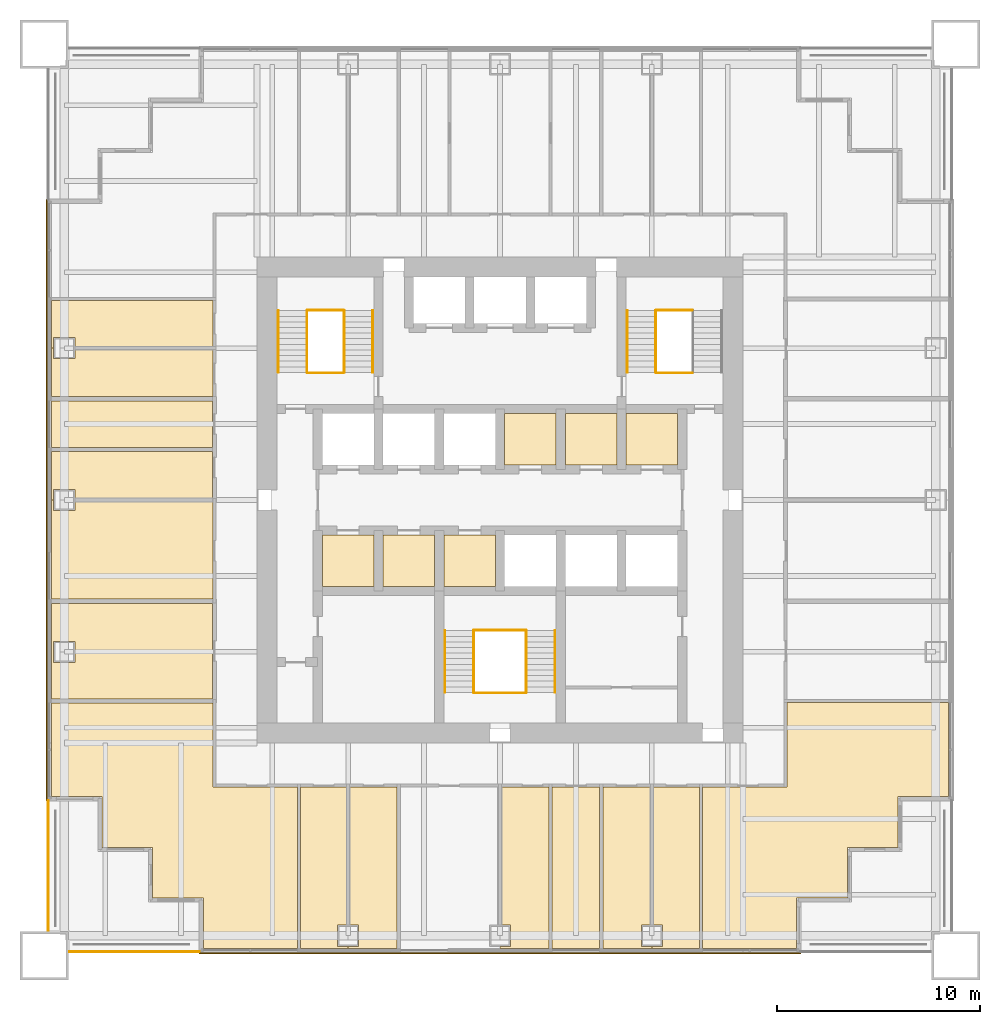
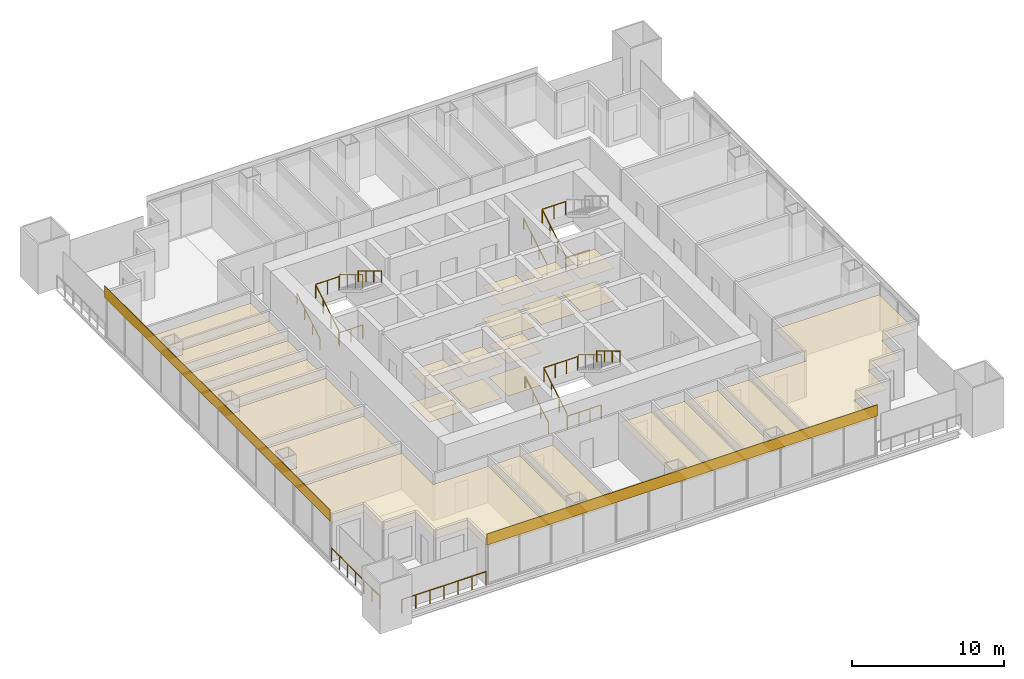
# One storey, part 13 of 14: 28 coverings, 18 railings.
"""IFC4 building model written with IfcOpenShell, lengths in metres."""

from ifc_helpers import new_model, si_unit, direction, frame, origin, origin_2d, place, context, subcontext, project, spatial, polyline, rectangle, circle, outline, extrude, material, layer, layer_set, type_object, element, save


model = new_model("IFC4")

# Units and contexts
model_context = context("Model", 3, precision=1e-05, world=origin(), true_north=direction((0.0, 1.0)))
body_context = subcontext(model_context, "Body", "Model", "MODEL_VIEW")
ifc_project = project(units=[si_unit("LENGTHUNIT", "METRE"), si_unit("AREAUNIT", "SQUARE_METRE"), si_unit("VOLUMEUNIT", "CUBIC_METRE"), si_unit("PLANEANGLEUNIT", "RADIAN"), si_unit("MASSUNIT", "GRAM", prefix="KILO")], contexts=[model_context])

# Site, building, storey
site_placement = place(None, origin())
site = spatial("IfcSite", under=ifc_project, at=site_placement, CompositionType="ELEMENT")
building_placement = place(site_placement, origin())
building = spatial("IfcBuilding", under=site, at=building_placement, Name="Tarangal Relay Tower", CompositionType="ELEMENT")
storey_placement = place(building_placement, frame((0.0, 0.0, 249.89990234375)))
storey = spatial("IfcBuildingStorey", under=building, at=storey_placement, Name="L54", CompositionType="ELEMENT", Elevation=249.89990234375)

# Coverings
ifc_material_1 = material(Name="Anti-static vinyl flooring", Category="plastic")
ifc_layer_1 = layer(ifc_material_1, 0.010009765625)
ifc_layer_set_1 = layer_set([ifc_layer_1], Name="Anti-static vinyl floor")
covering_type_1 = type_object("IfcCoveringType", Name="Anti-static vinyl floor", PredefinedType="FLOORING", material=ifc_layer_set_1)
covering_1_placement = place(storey_placement, origin())
element("IfcCovering", 1, at=covering_1_placement, inside=storey, type_object=covering_type_1, Name="Floor finish FL1 L54-T1", PredefinedType="FLOORING", context=body_context, shape_type="SweptSolid", body=[
    extrude(outline(polyline([(0.22509765625, 1.72509765625), (2.77490234375, 1.72509765625), (2.77490234375, 4.27490234375), (0.22509765625, 4.27490234375), (0.22509765625, 1.72509765625)])), origin(), (0.0, 0.0, 1.0), 0.010009765625),
])
covering_2_placement = place(storey_placement, origin())
element("IfcCovering", 2, at=covering_2_placement, inside=storey, type_object=covering_type_1, Name="Floor finish FL1 L54-T2", PredefinedType="FLOORING", context=body_context, shape_type="SweptSolid", body=[
    extrude(outline(polyline([(3.22509765625, 1.72509765625), (5.77490234375, 1.72509765625), (5.77490234375, 4.27490234375), (3.22509765625, 4.27490234375), (3.22509765625, 1.72509765625)])), origin(), (0.0, 0.0, 1.0), 0.010009765625),
])
covering_3_placement = place(storey_placement, origin())
element("IfcCovering", 3, at=covering_3_placement, inside=storey, type_object=covering_type_1, Name="Floor finish FL1 L54-T3", PredefinedType="FLOORING", context=body_context, shape_type="SweptSolid", body=[
    extrude(outline(polyline([(6.22509765625, 1.72509765625), (8.77490234375, 1.72509765625), (8.77490234375, 4.27490234375), (6.22509765625, 4.27490234375), (6.22509765625, 1.72509765625)])), origin(), (0.0, 0.0, 1.0), 0.010009765625),
])
covering_4_placement = place(storey_placement, origin())
element("IfcCovering", 4, at=covering_4_placement, inside=storey, type_object=covering_type_1, Name="Floor finish FL1 L54-S1", PredefinedType="FLOORING", context=body_context, shape_type="SweptSolid", body=[
    extrude(outline(polyline([(-8.77490234375, -4.27490234375), (-6.22509765625, -4.27490234375), (-6.22509765625, -1.72509765625), (-8.77490234375, -1.72509765625), (-8.77490234375, -4.27490234375)])), origin(), (0.0, 0.0, 1.0), 0.010009765625),
])
covering_5_placement = place(storey_placement, origin())
element("IfcCovering", 5, at=covering_5_placement, inside=storey, type_object=covering_type_1, Name="Floor finish FL1 L54-S2", PredefinedType="FLOORING", context=body_context, shape_type="SweptSolid", body=[
    extrude(outline(polyline([(-5.77490234375, -4.27490234375), (-3.22509765625, -4.27490234375), (-3.22509765625, -1.72509765625), (-5.77490234375, -1.72509765625), (-5.77490234375, -4.27490234375)])), origin(), (0.0, 0.0, 1.0), 0.010009765625),
])
covering_6_placement = place(storey_placement, origin())
element("IfcCovering", 6, at=covering_6_placement, inside=storey, type_object=covering_type_1, Name="Floor finish FL1 L54-S3", PredefinedType="FLOORING", context=body_context, shape_type="SweptSolid", body=[
    extrude(outline(polyline([(-2.77490234375, -4.27490234375), (-0.22509765625, -4.27490234375), (-0.22509765625, -1.72509765625), (-2.77490234375, -1.72509765625), (-2.77490234375, -4.27490234375)])), origin(), (0.0, 0.0, 1.0), 0.010009765625),
])
ifc_material_2 = material(Name="Black anodised aluminium cladding", Category="aluminium")
ifc_layer_2 = layer(ifc_material_2, 0.050048828125)
ifc_layer_set_2 = layer_set([ifc_layer_2], Name="Black metal spandrel band")
covering_type_2 = type_object("IfcCoveringType", Name="Black metal spandrel band", PredefinedType="CLADDING", material=ifc_layer_set_2)
for number, where, z_axis, x_axis, name in (
    (7, (0.0, -22.375, 3.250244140625), (0.0, 0.0, 1.0), (-1.0, 0.0, 0.0), "Spandrel band SB1 S L54"),
    (8, (-22.375, 0.0, 3.250244140625), (0.0, 0.0, 1.0), (0.0, 1.0, 0.0), "Spandrel band SB1 W L54"),
):
    element("IfcCovering", number, at=place(storey_placement, frame(where, z_axis=z_axis, x_axis=x_axis)), inside=storey, type_object=covering_type_2, Name=name, PredefinedType="CLADDING", context=body_context, shape_type="SweptSolid", body=[
        extrude(rectangle(XDim=29.699951171875, YDim=0.050048828125, at=origin_2d()), origin(), (0.0, 0.0, 1.0), 0.89990234375),
    ])

# Railings
ifc_material_3 = material(Name="Steel guard, black finish", Category="steel")
railing_type_1 = type_object("IfcRailingType", Name="Stair guard 1100", PredefinedType="GUARDRAIL", material=ifc_material_3)
railing_1_placement = place(storey_placement, frame((-9.530029296875, 6.300048828125, 0.166748046875)))
element("IfcRailing", 9, at=railing_1_placement, inside=storey, type_object=railing_type_1, Name="Stair ST-A guard GR1 L54 flight 1", PredefinedType="GUARDRAIL", context=body_context, shape_type="SweptSolid", body=[
    extrude(circle(Radius=0.02392578125, at=origin_2d()), frame((0.0, 0.0, 1.076171875), z_axis=(0.0, 0.85685617095, 0.515555527858), x_axis=(-1.0, 0.0, 0.0)), (0.0, 0.0, 1.0), 3.555908203125),
    extrude(circle(Radius=0.02099609375, at=origin_2d()), origin(), (0.0, 0.0, 1.0), 1.052001953125),
    extrude(circle(Radius=0.02099609375, at=origin_2d()), frame((0.0, 1.015625, 0.611083984375)), (0.0, 0.0, 1.0), 1.052001953125),
    extrude(circle(Radius=0.02099609375, at=origin_2d()), frame((0.0, 2.03125, 1.22216796875)), (0.0, 0.0, 1.0), 1.052001953125),
    extrude(circle(Radius=0.02099609375, at=origin_2d()), frame((0.0, 3.046875, 1.833251953125)), (0.0, 0.0, 1.0), 1.052001953125),
])
railing_2_placement = place(storey_placement, frame((-7.695068359375, 9.346923828125, 2.166748046875)))
element("IfcRailing", 10, at=railing_2_placement, inside=storey, type_object=railing_type_1, Name="Stair ST-A guard GR1 L54 flight 2", PredefinedType="GUARDRAIL", context=body_context, shape_type="SweptSolid", body=[
    extrude(circle(Radius=0.02392578125, at=origin_2d()), frame((0.0, 0.0, 1.076171875), z_axis=(0.0, -0.85685617095, 0.515555527858), x_axis=(1.0, 0.0, 0.0)), (0.0, 0.0, 1.0), 3.555908203125),
    extrude(circle(Radius=0.02099609375, at=origin_2d()), origin(), (0.0, 0.0, 1.0), 1.052001953125),
    extrude(circle(Radius=0.02099609375, at=origin_2d()), frame((0.0, -1.015625, 0.611083984375)), (0.0, 0.0, 1.0), 1.052001953125),
    extrude(circle(Radius=0.02099609375, at=origin_2d()), frame((0.0, -2.03125, 1.22216796875)), (0.0, 0.0, 1.0), 1.052001953125),
    extrude(circle(Radius=0.02099609375, at=origin_2d()), frame((0.0, -3.046875, 1.833251953125)), (0.0, 0.0, 1.0), 1.052001953125),
])
for number, where, name in (
    (11, (-9.5, 6.27001953125, 0.0), "Stair ST-A landing guard GR1 L54"),
    (12, (-9.5, 9.376953125, 2.0), "Stair ST-A landing guard GR1 L54"),
):
    element("IfcRailing", number, at=place(storey_placement, frame(where)), inside=storey, type_object=railing_type_1, Name=name, PredefinedType="GUARDRAIL", context=body_context, shape_type="SweptSolid", body=[
        extrude(circle(Radius=0.02392578125, at=origin_2d()), frame((0.0, 0.0, 1.076171875), z_axis=(1.0, 0.0, 0.0), x_axis=(0.0, 1.0, 0.0)), (0.0, 0.0, 1.0), 1.77490234375),
        extrude(circle(Radius=0.02099609375, at=origin_2d()), origin(), (0.0, 0.0, 1.0), 1.052001953125),
        extrude(circle(Radius=0.02099609375, at=origin_2d()), frame((0.887451171875, 0.0, 0.0)), (0.0, 0.0, 1.0), 1.052001953125),
        extrude(circle(Radius=0.02099609375, at=origin_2d()), frame((1.77490234375, 0.0, 0.0)), (0.0, 0.0, 1.0), 1.052001953125),
    ])
railing_3_placement = place(storey_placement, frame((7.695068359375, 6.300048828125, 0.166748046875)))
element("IfcRailing", 13, at=railing_3_placement, inside=storey, type_object=railing_type_1, Name="Stair ST-B guard GR1 L54 flight 1", PredefinedType="GUARDRAIL", context=body_context, shape_type="SweptSolid", body=[
    extrude(circle(Radius=0.02392578125, at=origin_2d()), frame((0.0, 0.0, 1.076171875), z_axis=(0.0, 0.85685617095, 0.515555527858), x_axis=(-1.0, 0.0, 0.0)), (0.0, 0.0, 1.0), 3.555908203125),
    extrude(circle(Radius=0.02099609375, at=origin_2d()), origin(), (0.0, 0.0, 1.0), 1.052001953125),
    extrude(circle(Radius=0.02099609375, at=origin_2d()), frame((0.0, 1.015625, 0.611083984375)), (0.0, 0.0, 1.0), 1.052001953125),
    extrude(circle(Radius=0.02099609375, at=origin_2d()), frame((0.0, 2.03125, 1.22216796875)), (0.0, 0.0, 1.0), 1.052001953125),
    extrude(circle(Radius=0.02099609375, at=origin_2d()), frame((0.0, 3.046875, 1.833251953125)), (0.0, 0.0, 1.0), 1.052001953125),
])
for number, where, name in (
    (14, (7.72509765625, 6.27001953125, 0.0), "Stair ST-B landing guard GR1 L54"),
    (15, (7.72509765625, 9.376953125, 2.0), "Stair ST-B landing guard GR1 L54"),
):
    element("IfcRailing", number, at=place(storey_placement, frame(where)), inside=storey, type_object=railing_type_1, Name=name, PredefinedType="GUARDRAIL", context=body_context, shape_type="SweptSolid", body=[
        extrude(circle(Radius=0.02392578125, at=origin_2d()), frame((0.0, 0.0, 1.076171875), z_axis=(1.0, 0.0, 0.0), x_axis=(0.0, 1.0, 0.0)), (0.0, 0.0, 1.0), 1.77490234375),
        extrude(circle(Radius=0.02099609375, at=origin_2d()), origin(), (0.0, 0.0, 1.0), 1.052001953125),
        extrude(circle(Radius=0.02099609375, at=origin_2d()), frame((0.887451171875, 0.0, 0.0)), (0.0, 0.0, 1.0), 1.052001953125),
        extrude(circle(Radius=0.02099609375, at=origin_2d()), frame((1.77490234375, 0.0, 0.0)), (0.0, 0.0, 1.0), 1.052001953125),
    ])
railing_4_placement = place(storey_placement, frame((-1.304931640625, -9.5, 0.166748046875)))
element("IfcRailing", 16, at=railing_4_placement, inside=storey, type_object=railing_type_1, Name="Stair ST-C guard GR1 L54 flight 1", PredefinedType="GUARDRAIL", context=body_context, shape_type="SweptSolid", body=[
    extrude(circle(Radius=0.02392578125, at=origin_2d()), frame((0.0, 0.0, 1.076171875), z_axis=(0.0, 0.856874418557, 0.515525199018), x_axis=(-1.0, 0.0, 0.0)), (0.0, 0.0, 1.0), 3.55615234375),
    extrude(circle(Radius=0.02099609375, at=origin_2d()), origin(), (0.0, 0.0, 1.0), 1.052001953125),
    extrude(circle(Radius=0.02099609375, at=origin_2d()), frame((0.0, 1.015625, 0.611083984375)), (0.0, 0.0, 1.0), 1.052001953125),
    extrude(circle(Radius=0.02099609375, at=origin_2d()), frame((0.0, 2.031494140625, 1.22216796875)), (0.0, 0.0, 1.0), 1.052001953125),
    extrude(circle(Radius=0.02099609375, at=origin_2d()), frame((0.0, 3.047119140625, 1.833251953125)), (0.0, 0.0, 1.0), 1.052001953125),
])
railing_5_placement = place(storey_placement, frame((1.304931640625, -6.452880859375, 2.166748046875)))
element("IfcRailing", 17, at=railing_5_placement, inside=storey, type_object=railing_type_1, Name="Stair ST-C guard GR1 L54 flight 2", PredefinedType="GUARDRAIL", context=body_context, shape_type="SweptSolid", body=[
    extrude(circle(Radius=0.02392578125, at=origin_2d()), frame((0.0, 0.0, 1.076171875), z_axis=(0.0, -0.856874418557, 0.515525199018), x_axis=(1.0, 0.0, 0.0)), (0.0, 0.0, 1.0), 3.55615234375),
    extrude(circle(Radius=0.02099609375, at=origin_2d()), origin(), (0.0, 0.0, 1.0), 1.052001953125),
    extrude(circle(Radius=0.02099609375, at=origin_2d()), frame((0.0, -1.015625, 0.611083984375)), (0.0, 0.0, 1.0), 1.052001953125),
    extrude(circle(Radius=0.02099609375, at=origin_2d()), frame((0.0, -2.031494140625, 1.22216796875)), (0.0, 0.0, 1.0), 1.052001953125),
    extrude(circle(Radius=0.02099609375, at=origin_2d()), frame((0.0, -3.047119140625, 1.833251953125)), (0.0, 0.0, 1.0), 1.052001953125),
])
for number, where, name in (
    (18, (-1.27490234375, -9.530029296875, 0.0), "Stair ST-C landing guard GR1 L54"),
    (19, (-1.27490234375, -6.423095703125, 2.0), "Stair ST-C landing guard GR1 L54"),
):
    element("IfcRailing", number, at=place(storey_placement, frame(where)), inside=storey, type_object=railing_type_1, Name=name, PredefinedType="GUARDRAIL", context=body_context, shape_type="SweptSolid", body=[
        extrude(circle(Radius=0.02392578125, at=origin_2d()), frame((0.0, 0.0, 1.076171875), z_axis=(1.0, 0.0, 0.0), x_axis=(0.0, 1.0, 0.0)), (0.0, 0.0, 1.0), 2.5498046875),
        extrude(circle(Radius=0.02099609375, at=origin_2d()), origin(), (0.0, 0.0, 1.0), 1.052001953125),
        extrude(circle(Radius=0.02099609375, at=origin_2d()), frame((0.849853515625, 0.0, 0.0)), (0.0, 0.0, 1.0), 1.052001953125),
        extrude(circle(Radius=0.02099609375, at=origin_2d()), frame((1.699951171875, 0.0, 0.0)), (0.0, 0.0, 1.0), 1.052001953125),
        extrude(circle(Radius=0.02099609375, at=origin_2d()), frame((2.5498046875, 0.0, 0.0)), (0.0, 0.0, 1.0), 1.052001953125),
    ])
ifc_material_4 = material(Name="Steel handrail, black finish", Category="steel")
railing_type_2 = type_object("IfcRailingType", Name="Stair handrail 900", PredefinedType="HANDRAIL", material=ifc_material_4)
railing_6_placement = place(storey_placement, frame((-10.93994140625, 6.300048828125, 0.166748046875)))
element("IfcRailing", 20, at=railing_6_placement, inside=storey, type_object=railing_type_2, Name="Stair ST-A handrail HR1 L54 flight 1", PredefinedType="HANDRAIL", context=body_context, shape_type="SweptSolid", body=[
    extrude(circle(Radius=0.02392578125, at=origin_2d()), frame((0.0, 0.0, 0.8759765625), z_axis=(0.0, 0.85685617095, 0.515555527858), x_axis=(-1.0, 0.0, 0.0)), (0.0, 0.0, 1.0), 3.555908203125),
    extrude(circle(Radius=0.02099609375, at=origin_2d()), origin(), (0.0, 0.0, 1.0), 0.851806640625),
    extrude(circle(Radius=0.02099609375, at=origin_2d()), frame((0.0, 1.015625, 0.611083984375)), (0.0, 0.0, 1.0), 0.851806640625),
    extrude(circle(Radius=0.02099609375, at=origin_2d()), frame((0.0, 2.03125, 1.22216796875)), (0.0, 0.0, 1.0), 0.851806640625),
    extrude(circle(Radius=0.02099609375, at=origin_2d()), frame((0.0, 3.046875, 1.833251953125)), (0.0, 0.0, 1.0), 0.851806640625),
])
railing_7_placement = place(storey_placement, frame((-6.284912109375, 9.346923828125, 2.166748046875)))
element("IfcRailing", 21, at=railing_7_placement, inside=storey, type_object=railing_type_2, Name="Stair ST-A handrail HR1 L54 flight 2", PredefinedType="HANDRAIL", context=body_context, shape_type="SweptSolid", body=[
    extrude(circle(Radius=0.02392578125, at=origin_2d()), frame((0.0, 0.0, 0.8759765625), z_axis=(0.0, -0.85685617095, 0.515555527858), x_axis=(1.0, 0.0, 0.0)), (0.0, 0.0, 1.0), 3.555908203125),
    extrude(circle(Radius=0.02099609375, at=origin_2d()), origin(), (0.0, 0.0, 1.0), 0.851806640625),
    extrude(circle(Radius=0.02099609375, at=origin_2d()), frame((0.0, -1.015625, 0.611083984375)), (0.0, 0.0, 1.0), 0.851806640625),
    extrude(circle(Radius=0.02099609375, at=origin_2d()), frame((0.0, -2.03125, 1.22216796875)), (0.0, 0.0, 1.0), 0.851806640625),
    extrude(circle(Radius=0.02099609375, at=origin_2d()), frame((0.0, -3.046875, 1.833251953125)), (0.0, 0.0, 1.0), 0.851806640625),
])
railing_8_placement = place(storey_placement, frame((6.284912109375, 6.300048828125, 0.166748046875)))
element("IfcRailing", 22, at=railing_8_placement, inside=storey, type_object=railing_type_2, Name="Stair ST-B handrail HR1 L54 flight 1", PredefinedType="HANDRAIL", context=body_context, shape_type="SweptSolid", body=[
    extrude(circle(Radius=0.02392578125, at=origin_2d()), frame((0.0, 0.0, 0.8759765625), z_axis=(0.0, 0.85685617095, 0.515555527858), x_axis=(-1.0, 0.0, 0.0)), (0.0, 0.0, 1.0), 3.555908203125),
    extrude(circle(Radius=0.02099609375, at=origin_2d()), origin(), (0.0, 0.0, 1.0), 0.851806640625),
    extrude(circle(Radius=0.02099609375, at=origin_2d()), frame((0.0, 1.015625, 0.611083984375)), (0.0, 0.0, 1.0), 0.851806640625),
    extrude(circle(Radius=0.02099609375, at=origin_2d()), frame((0.0, 2.03125, 1.22216796875)), (0.0, 0.0, 1.0), 0.851806640625),
    extrude(circle(Radius=0.02099609375, at=origin_2d()), frame((0.0, 3.046875, 1.833251953125)), (0.0, 0.0, 1.0), 0.851806640625),
])
railing_9_placement = place(storey_placement, frame((-2.715087890625, -9.5, 0.166748046875)))
element("IfcRailing", 23, at=railing_9_placement, inside=storey, type_object=railing_type_2, Name="Stair ST-C handrail HR1 L54 flight 1", PredefinedType="HANDRAIL", context=body_context, shape_type="SweptSolid", body=[
    extrude(circle(Radius=0.02392578125, at=origin_2d()), frame((0.0, 0.0, 0.8759765625), z_axis=(0.0, 0.856874418557, 0.515525199018), x_axis=(-1.0, 0.0, 0.0)), (0.0, 0.0, 1.0), 3.55615234375),
    extrude(circle(Radius=0.02099609375, at=origin_2d()), origin(), (0.0, 0.0, 1.0), 0.851806640625),
    extrude(circle(Radius=0.02099609375, at=origin_2d()), frame((0.0, 1.015625, 0.611083984375)), (0.0, 0.0, 1.0), 0.851806640625),
    extrude(circle(Radius=0.02099609375, at=origin_2d()), frame((0.0, 2.031494140625, 1.22216796875)), (0.0, 0.0, 1.0), 0.851806640625),
    extrude(circle(Radius=0.02099609375, at=origin_2d()), frame((0.0, 3.047119140625, 1.833251953125)), (0.0, 0.0, 1.0), 0.851806640625),
])
railing_10_placement = place(storey_placement, frame((2.715087890625, -6.452880859375, 2.166748046875)))
element("IfcRailing", 24, at=railing_10_placement, inside=storey, type_object=railing_type_2, Name="Stair ST-C handrail HR1 L54 flight 2", PredefinedType="HANDRAIL", context=body_context, shape_type="SweptSolid", body=[
    extrude(circle(Radius=0.02392578125, at=origin_2d()), frame((0.0, 0.0, 0.8759765625), z_axis=(0.0, -0.856874418557, 0.515525199018), x_axis=(1.0, 0.0, 0.0)), (0.0, 0.0, 1.0), 3.55615234375),
    extrude(circle(Radius=0.02099609375, at=origin_2d()), origin(), (0.0, 0.0, 1.0), 0.851806640625),
    extrude(circle(Radius=0.02099609375, at=origin_2d()), frame((0.0, -1.015625, 0.611083984375)), (0.0, 0.0, 1.0), 0.851806640625),
    extrude(circle(Radius=0.02099609375, at=origin_2d()), frame((0.0, -2.031494140625, 1.22216796875)), (0.0, 0.0, 1.0), 0.851806640625),
    extrude(circle(Radius=0.02099609375, at=origin_2d()), frame((0.0, -3.047119140625, 1.833251953125)), (0.0, 0.0, 1.0), 0.851806640625),
])

# Coverings
ifc_material_5 = material(Name="Mineral fibre ceiling tiles", Category="gypsum")
ifc_layer_3 = layer(ifc_material_5, 0.02001953125)
ifc_layer_set_3 = layer_set([ifc_layer_3], Name="Suspended ceiling")
covering_type_3 = type_object("IfcCoveringType", Name="Suspended ceiling", PredefinedType="CEILING", material=ifc_layer_set_3)
covering_7_placement = place(storey_placement, frame((0.0, 0.0, 2.60009765625)))
element("IfcCovering", 25, at=covering_7_placement, inside=storey, type_object=covering_type_3, Name="Suspended ceiling CL1 L54-T1", PredefinedType="CEILING", context=body_context, shape_type="SweptSolid", body=[
    extrude(outline(polyline([(0.22509765625, 1.72509765625), (2.77490234375, 1.72509765625), (2.77490234375, 4.27490234375), (0.22509765625, 4.27490234375), (0.22509765625, 1.72509765625)])), origin(), (0.0, 0.0, 1.0), 0.02001953125),
])
covering_8_placement = place(storey_placement, frame((0.0, 0.0, 2.60009765625)))
element("IfcCovering", 26, at=covering_8_placement, inside=storey, type_object=covering_type_3, Name="Suspended ceiling CL1 L54-T2", PredefinedType="CEILING", context=body_context, shape_type="SweptSolid", body=[
    extrude(outline(polyline([(3.22509765625, 1.72509765625), (5.77490234375, 1.72509765625), (5.77490234375, 4.27490234375), (3.22509765625, 4.27490234375), (3.22509765625, 1.72509765625)])), origin(), (0.0, 0.0, 1.0), 0.02001953125),
])
covering_9_placement = place(storey_placement, frame((0.0, 0.0, 2.60009765625)))
element("IfcCovering", 27, at=covering_9_placement, inside=storey, type_object=covering_type_3, Name="Suspended ceiling CL1 L54-T3", PredefinedType="CEILING", context=body_context, shape_type="SweptSolid", body=[
    extrude(outline(polyline([(6.22509765625, 1.72509765625), (8.77490234375, 1.72509765625), (8.77490234375, 4.27490234375), (6.22509765625, 4.27490234375), (6.22509765625, 1.72509765625)])), origin(), (0.0, 0.0, 1.0), 0.02001953125),
])
covering_10_placement = place(storey_placement, frame((0.0, 0.0, 2.60009765625)))
element("IfcCovering", 28, at=covering_10_placement, inside=storey, type_object=covering_type_3, Name="Suspended ceiling CL1 L54-S1", PredefinedType="CEILING", context=body_context, shape_type="SweptSolid", body=[
    extrude(outline(polyline([(-8.77490234375, -4.27490234375), (-6.22509765625, -4.27490234375), (-6.22509765625, -1.72509765625), (-8.77490234375, -1.72509765625), (-8.77490234375, -4.27490234375)])), origin(), (0.0, 0.0, 1.0), 0.02001953125),
])
covering_11_placement = place(storey_placement, frame((0.0, 0.0, 2.60009765625)))
element("IfcCovering", 29, at=covering_11_placement, inside=storey, type_object=covering_type_3, Name="Suspended ceiling CL1 L54-S2", PredefinedType="CEILING", context=body_context, shape_type="SweptSolid", body=[
    extrude(outline(polyline([(-5.77490234375, -4.27490234375), (-3.22509765625, -4.27490234375), (-3.22509765625, -1.72509765625), (-5.77490234375, -1.72509765625), (-5.77490234375, -4.27490234375)])), origin(), (0.0, 0.0, 1.0), 0.02001953125),
])
covering_12_placement = place(storey_placement, frame((0.0, 0.0, 2.60009765625)))
element("IfcCovering", 30, at=covering_12_placement, inside=storey, type_object=covering_type_3, Name="Suspended ceiling CL1 L54-S3", PredefinedType="CEILING", context=body_context, shape_type="SweptSolid", body=[
    extrude(outline(polyline([(-2.77490234375, -4.27490234375), (-0.22509765625, -4.27490234375), (-0.22509765625, -1.72509765625), (-2.77490234375, -1.72509765625), (-2.77490234375, -4.27490234375)])), origin(), (0.0, 0.0, 1.0), 0.02001953125),
])
covering_13_placement = place(storey_placement, frame((0.0, 0.0, 2.900146484375)))
element("IfcCovering", 31, at=covering_13_placement, inside=storey, type_object=covering_type_3, Name="Suspended ceiling CL1 L54-13", PredefinedType="CEILING", context=body_context, shape_type="SweptSolid", body=[
    extrude(outline(polyline([(7.5, -22.14990234375), (9.842041015625, -22.14990234375), (9.842041015625, -14.175048828125), (7.574951171875, -14.175048828125), (7.574951171875, -20.989990234375), (8.02490234375, -20.989990234375), (8.02490234375, -22.0400390625), (7.5, -22.0400390625), (7.5, -22.14990234375)])), origin(), (0.0, 0.0, 1.0), 0.02001953125),
])
covering_14_placement = place(storey_placement, frame((0.0, 0.0, 2.900146484375)))
element("IfcCovering", 32, at=covering_14_placement, inside=storey, type_object=covering_type_3, Name="Suspended ceiling CL1 L54-14", PredefinedType="CEILING", context=body_context, shape_type="SweptSolid", body=[
    extrude(outline(polyline([(5.074951171875, -22.14990234375), (7.5, -22.14990234375), (7.5, -22.0400390625), (6.97509765625, -22.0400390625), (6.97509765625, -20.989990234375), (7.425048828125, -20.989990234375), (7.425048828125, -14.175048828125), (5.074951171875, -14.175048828125), (5.074951171875, -22.14990234375)])), origin(), (0.0, 0.0, 1.0), 0.02001953125),
])
covering_15_placement = place(storey_placement, frame((0.0, 0.0, 2.900146484375)))
element("IfcCovering", 33, at=covering_15_placement, inside=storey, type_object=covering_type_3, Name="Suspended ceiling CL1 L54-15", PredefinedType="CEILING", context=body_context, shape_type="SweptSolid", body=[
    extrude(outline(polyline([(4.925048828125, -22.14990234375), (4.925048828125, -14.175048828125), (2.574951171875, -14.175048828125), (2.574951171875, -22.14990234375), (4.925048828125, -22.14990234375)])), origin(), (0.0, 0.0, 1.0), 0.02001953125),
])
covering_16_placement = place(storey_placement, frame((0.0, 0.0, 2.900146484375)))
element("IfcCovering", 34, at=covering_16_placement, inside=storey, type_object=covering_type_3, Name="Suspended ceiling CL1 L54-16", PredefinedType="CEILING", context=body_context, shape_type="SweptSolid", body=[
    extrude(outline(polyline([(0.0, -22.14990234375), (2.425048828125, -22.14990234375), (2.425048828125, -14.175048828125), (0.074951171875, -14.175048828125), (0.074951171875, -20.989990234375), (0.52490234375, -20.989990234375), (0.52490234375, -22.0400390625), (0.0, -22.0400390625), (0.0, -22.14990234375)])), origin(), (0.0, 0.0, 1.0), 0.02001953125),
])
covering_17_placement = place(storey_placement, frame((0.0, 0.0, 2.900146484375)))
element("IfcCovering", 35, at=covering_17_placement, inside=storey, type_object=covering_type_3, Name="Suspended ceiling CL1 L54-18", PredefinedType="CEILING", context=body_context, shape_type="SweptSolid", body=[
    extrude(outline(polyline([(-7.5, -22.14990234375), (-5.074951171875, -22.14990234375), (-5.074951171875, -14.175048828125), (-7.425048828125, -14.175048828125), (-7.425048828125, -20.989990234375), (-6.97509765625, -20.989990234375), (-6.97509765625, -22.0400390625), (-7.5, -22.0400390625), (-7.5, -22.14990234375)])), origin(), (0.0, 0.0, 1.0), 0.02001953125),
])
covering_18_placement = place(storey_placement, frame((0.0, 0.0, 2.900146484375)))
element("IfcCovering", 36, at=covering_18_placement, inside=storey, type_object=covering_type_3, Name="Suspended ceiling CL1 L54-19", PredefinedType="CEILING", context=body_context, shape_type="SweptSolid", body=[
    extrude(outline(polyline([(-9.842041015625, -22.14990234375), (-7.5, -22.14990234375), (-7.5, -22.0400390625), (-8.02490234375, -22.0400390625), (-8.02490234375, -20.989990234375), (-7.574951171875, -20.989990234375), (-7.574951171875, -14.175048828125), (-9.842041015625, -14.175048828125), (-9.842041015625, -22.14990234375)])), origin(), (0.0, 0.0, 1.0), 0.02001953125),
])
covering_19_placement = place(storey_placement, frame((0.0, 0.0, 2.900146484375)))
element("IfcCovering", 37, at=covering_19_placement, inside=storey, type_object=covering_type_3, Name="Suspended ceiling CL1 L54-20", PredefinedType="CEILING", context=body_context, shape_type="SweptSolid", body=[
    extrude(outline(polyline([(-22.14990234375, -5.10009765625), (-22.14990234375, -9.81689453125), (-14.199951171875, -9.81689453125), (-14.199951171875, -5.10009765625), (-22.14990234375, -5.10009765625)]), holes=[polyline([(-20.989990234375, -6.97509765625), (-22.0400390625, -6.97509765625), (-22.0400390625, -8.02490234375), (-20.989990234375, -8.02490234375), (-20.989990234375, -6.97509765625)])]), origin(), (0.0, 0.0, 1.0), 0.02001953125),
])
covering_20_placement = place(storey_placement, frame((0.0, 0.0, 2.900146484375)))
element("IfcCovering", 38, at=covering_20_placement, inside=storey, type_object=covering_type_3, Name="Suspended ceiling CL1 L54-21", PredefinedType="CEILING", context=body_context, shape_type="SweptSolid", body=[
    extrude(outline(polyline([(-22.14990234375, 0.0), (-22.14990234375, -4.89990234375), (-14.175048828125, -4.89990234375), (-14.175048828125, -0.10009765625), (-20.989990234375, -0.10009765625), (-20.989990234375, -0.52490234375), (-22.0400390625, -0.52490234375), (-22.0400390625, 0.0), (-22.14990234375, 0.0)])), origin(), (0.0, 0.0, 1.0), 0.02001953125),
])
covering_21_placement = place(storey_placement, frame((0.0, 0.0, 2.900146484375)))
element("IfcCovering", 39, at=covering_21_placement, inside=storey, type_object=covering_type_3, Name="Suspended ceiling CL1 L54-22", PredefinedType="CEILING", context=body_context, shape_type="SweptSolid", body=[
    extrude(outline(polyline([(-22.14990234375, 2.39990234375), (-22.14990234375, 0.0), (-22.0400390625, 0.0), (-22.0400390625, 0.52490234375), (-20.989990234375, 0.52490234375), (-20.989990234375, 0.10009765625), (-14.199951171875, 0.10009765625), (-14.199951171875, 2.39990234375), (-22.14990234375, 2.39990234375)])), origin(), (0.0, 0.0, 1.0), 0.02001953125),
])
covering_22_placement = place(storey_placement, frame((0.0, 0.0, 2.900146484375)))
element("IfcCovering", 40, at=covering_22_placement, inside=storey, type_object=covering_type_3, Name="Suspended ceiling CL1 L54-23", PredefinedType="CEILING", context=body_context, shape_type="SweptSolid", body=[
    extrude(outline(polyline([(-22.14990234375, 2.60009765625), (-14.199951171875, 2.60009765625), (-14.199951171875, 4.89990234375), (-22.14990234375, 4.89990234375), (-22.14990234375, 2.60009765625)])), origin(), (0.0, 0.0, 1.0), 0.02001953125),
])
covering_23_placement = place(storey_placement, frame((0.0, 0.0, 2.900146484375)))
element("IfcCovering", 41, at=covering_23_placement, inside=storey, type_object=covering_type_3, Name="Suspended ceiling CL1 L54-24", PredefinedType="CEILING", context=body_context, shape_type="SweptSolid", body=[
    extrude(outline(polyline([(-22.14990234375, 7.5), (-22.14990234375, 5.10009765625), (-14.175048828125, 5.10009765625), (-14.175048828125, 7.425048828125), (-20.989990234375, 7.425048828125), (-20.989990234375, 6.97509765625), (-22.0400390625, 6.97509765625), (-22.0400390625, 7.5), (-22.14990234375, 7.5)])), origin(), (0.0, 0.0, 1.0), 0.02001953125),
])
covering_24_placement = place(storey_placement, frame((0.0, 0.0, 2.900146484375)))
element("IfcCovering", 42, at=covering_24_placement, inside=storey, type_object=covering_type_3, Name="Suspended ceiling CL1 L54-25", PredefinedType="CEILING", context=body_context, shape_type="SweptSolid", body=[
    extrude(outline(polyline([(-22.14990234375, 9.842041015625), (-22.14990234375, 7.5), (-22.0400390625, 7.5), (-22.0400390625, 8.02490234375), (-20.989990234375, 8.02490234375), (-20.989990234375, 7.574951171875), (-14.175048828125, 7.574951171875), (-14.175048828125, 9.842041015625), (-22.14990234375, 9.842041015625)])), origin(), (0.0, 0.0, 1.0), 0.02001953125),
])
covering_25_placement = place(storey_placement, frame((0.0, 0.0, 2.900146484375)))
element("IfcCovering", 43, at=covering_25_placement, inside=storey, type_object=covering_type_3, Name="Suspended ceiling CL1 L54-27", PredefinedType="CEILING", context=body_context, shape_type="SweptSolid", body=[
    extrude(outline(polyline([(22.14990234375, -14.64990234375), (22.14990234375, -9.991943359375), (14.175048828125, -9.991943359375), (14.175048828125, -14.175048828125), (9.991943359375, -14.175048828125), (9.991943359375, -22.14990234375), (14.64990234375, -22.14990234375), (14.64990234375, -19.64990234375), (17.14990234375, -19.64990234375), (17.14990234375, -17.14990234375), (19.64990234375, -17.14990234375), (19.64990234375, -14.64990234375), (22.14990234375, -14.64990234375)])), origin(), (0.0, 0.0, 1.0), 0.02001953125),
])
covering_26_placement = place(storey_placement, frame((0.0, 0.0, 2.900146484375)))
element("IfcCovering", 44, at=covering_26_placement, inside=storey, type_object=covering_type_3, Name="Suspended ceiling CL1 L54-28", PredefinedType="CEILING", context=body_context, shape_type="SweptSolid", body=[
    extrude(outline(polyline([(-14.64990234375, -19.64990234375), (-14.64990234375, -22.14990234375), (-9.991943359375, -22.14990234375), (-9.991943359375, -14.175048828125), (-14.175048828125, -14.175048828125), (-14.175048828125, -10.01708984375), (-22.14990234375, -10.01708984375), (-22.14990234375, -14.64990234375), (-19.64990234375, -14.64990234375), (-19.64990234375, -17.14990234375), (-17.14990234375, -17.14990234375), (-17.14990234375, -19.64990234375), (-14.64990234375, -19.64990234375)])), origin(), (0.0, 0.0, 1.0), 0.02001953125),
])

# Railings
ifc_material_6 = material(Name="Black steel guard with glass infill", Category="steel")
railing_type_3 = type_object("IfcRailingType", Name="Terrace guard 1100", PredefinedType="GUARDRAIL", material=ifc_material_6)
railing_11_placement = place(storey_placement, frame((-14.85009765625, -22.300048828125, 0.0)))
element("IfcRailing", 45, at=railing_11_placement, inside=storey, type_object=railing_type_3, Name="Terrace guard GR2 SW L54", PredefinedType="GUARDRAIL", context=body_context, shape_type="SweptSolid", body=[
    extrude(circle(Radius=0.02392578125, at=origin_2d()), frame((0.0, 0.0, 1.076171875), z_axis=(-1.0, 0.0, 0.0), x_axis=(0.0, -1.0, 0.0)), (0.0, 0.0, 1.0), 6.39990234375),
    extrude(circle(Radius=0.02099609375, at=origin_2d()), origin(), (0.0, 0.0, 1.0), 1.052001953125),
    extrude(circle(Radius=0.02099609375, at=origin_2d()), frame((-1.066650390625, 0.0, 0.0)), (0.0, 0.0, 1.0), 1.052001953125),
    extrude(circle(Radius=0.02099609375, at=origin_2d()), frame((-2.13330078125, 0.0, 0.0)), (0.0, 0.0, 1.0), 1.052001953125),
    extrude(circle(Radius=0.02099609375, at=origin_2d()), frame((-3.199951171875, 0.0, 0.0)), (0.0, 0.0, 1.0), 1.052001953125),
    extrude(circle(Radius=0.02099609375, at=origin_2d()), frame((-4.2666015625, 0.0, 0.0)), (0.0, 0.0, 1.0), 1.052001953125),
    extrude(circle(Radius=0.02099609375, at=origin_2d()), frame((-5.333251953125, 0.0, 0.0)), (0.0, 0.0, 1.0), 1.052001953125),
    extrude(circle(Radius=0.02099609375, at=origin_2d()), frame((-6.39990234375, 0.0, 0.0)), (0.0, 0.0, 1.0), 1.052001953125),
])
railing_12_placement = place(storey_placement, frame((-22.300048828125, -21.25, 0.0)))
element("IfcRailing", 46, at=railing_12_placement, inside=storey, type_object=railing_type_3, Name="Terrace guard GR2 SW L54", PredefinedType="GUARDRAIL", context=body_context, shape_type="SweptSolid", body=[
    extrude(circle(Radius=0.02392578125, at=origin_2d()), frame((0.0, 0.0, 1.076171875), z_axis=(0.0, 1.0, 0.0), x_axis=(-1.0, 0.0, 0.0)), (0.0, 0.0, 1.0), 6.39990234375),
    extrude(circle(Radius=0.02099609375, at=origin_2d()), origin(), (0.0, 0.0, 1.0), 1.052001953125),
    extrude(circle(Radius=0.02099609375, at=origin_2d()), frame((0.0, 1.066650390625, 0.0)), (0.0, 0.0, 1.0), 1.052001953125),
    extrude(circle(Radius=0.02099609375, at=origin_2d()), frame((0.0, 2.13330078125, 0.0)), (0.0, 0.0, 1.0), 1.052001953125),
    extrude(circle(Radius=0.02099609375, at=origin_2d()), frame((0.0, 3.199951171875, 0.0)), (0.0, 0.0, 1.0), 1.052001953125),
    extrude(circle(Radius=0.02099609375, at=origin_2d()), frame((0.0, 4.2666015625, 0.0)), (0.0, 0.0, 1.0), 1.052001953125),
    extrude(circle(Radius=0.02099609375, at=origin_2d()), frame((0.0, 5.333251953125, 0.0)), (0.0, 0.0, 1.0), 1.052001953125),
    extrude(circle(Radius=0.02099609375, at=origin_2d()), frame((0.0, 6.39990234375, 0.0)), (0.0, 0.0, 1.0), 1.052001953125),
])

save(model, "model.ifc")
